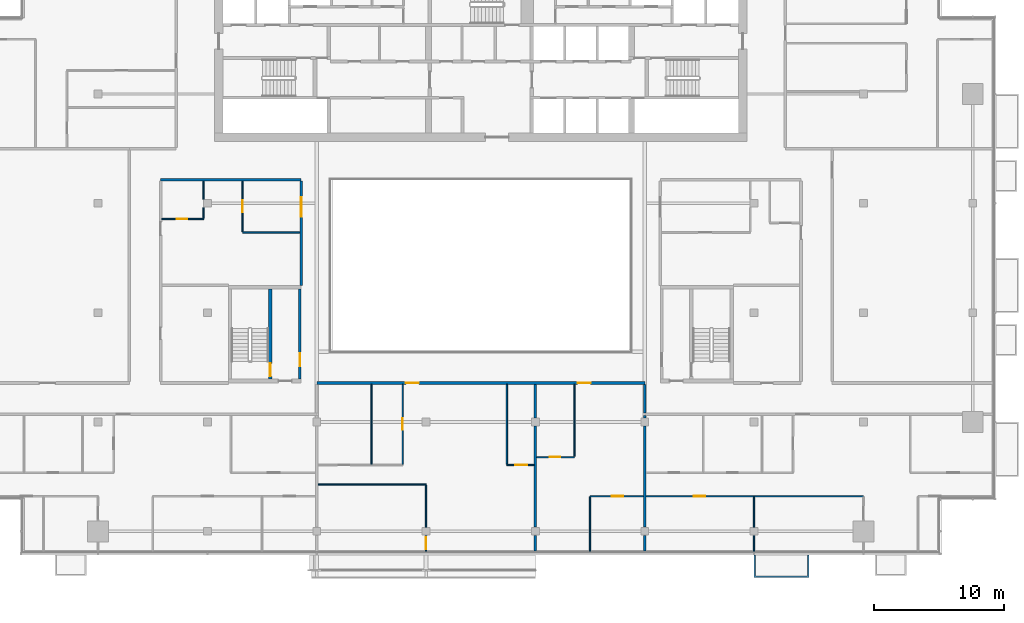
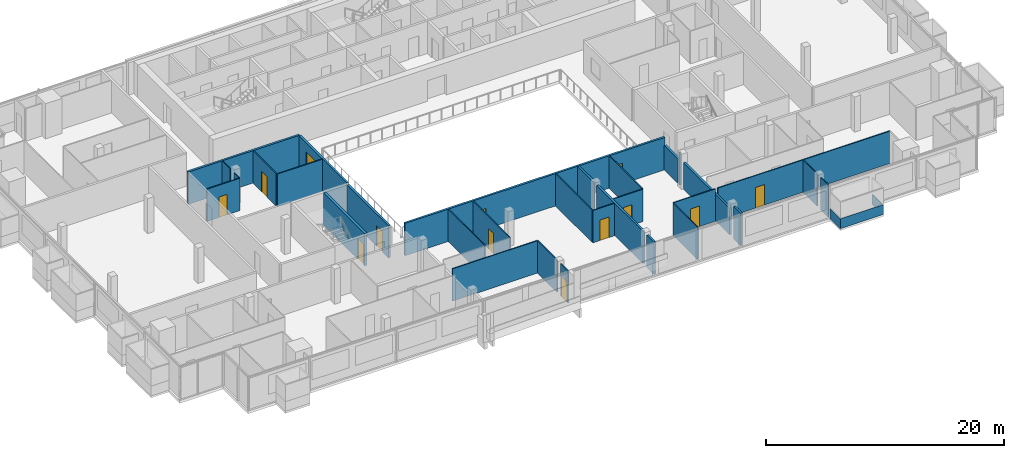
# One storey, part 19 of 27: 32 walls, 12 doors, 1 window, 13 openings.
"""IFC4 building model written with IfcOpenShell, lengths in metres."""

from ifc_helpers import new_model, si_unit, direction, frame, frame_2d, origin, place, context, subcontext, project, spatial, polyline, rectangle, outline, extrude, material, layer, layer_set, type_object, element, fill, save


model = new_model("IFC4")

# Units and contexts
model_context = context("Model", 3, precision=1e-05, world=origin(), true_north=direction((0.0, 1.0)))
body_context = subcontext(model_context, "Body", "Model", "MODEL_VIEW")
ifc_project = project(units=[si_unit("LENGTHUNIT", "METRE"), si_unit("AREAUNIT", "SQUARE_METRE"), si_unit("VOLUMEUNIT", "CUBIC_METRE"), si_unit("PLANEANGLEUNIT", "RADIAN"), si_unit("MASSUNIT", "GRAM", prefix="KILO")], contexts=[model_context])

# Site, building, storey
site_placement = place(None, origin())
site = spatial("IfcSite", under=ifc_project, at=site_placement, CompositionType="ELEMENT")
building_placement = place(site_placement, origin())
building = spatial("IfcBuilding", under=site, at=building_placement, Name="Saffron Gate Tower", CompositionType="ELEMENT")
storey_placement = place(building_placement, frame((0.0, 0.0, 209.10009765625)))
storey = spatial("IfcBuildingStorey", under=building, at=storey_placement, Name="L50", CompositionType="ELEMENT", Elevation=209.10009765625)

# Wall, opening, door
ifc_material_1 = material(Name="Gypsum board partition on steel studs", Category="steel")
ifc_layer_1 = layer(ifc_material_1, 0.199951171875)
ifc_layer_set_1 = layer_set([ifc_layer_1], Name="CW10 Core partition 200")
wall_type_1 = type_object("IfcWallType", Name="CW10 Core partition 200", PredefinedType="PARTITIONING", material=ifc_layer_set_1)
wall_1_placement = place(storey_placement, frame((73.699951171875, 43.5, 0.0), z_axis=(0.0, 0.0, 1.0), x_axis=(0.0, 1.0, 0.0)))
wall_1 = element("IfcWall", 1, at=wall_1_placement, inside=storey, type_object=wall_type_1, Name="Wall CW10-L50-D-4", PredefinedType="PARTITIONING", context=body_context, shape_type="SweptSolid", body=[
    extrude(rectangle(XDim=6.89990234375, YDim=0.199951171875, at=frame_2d((3.449951171875, 0.0))), origin(), (0.0, 0.0, 1.0), 3.31982421875),
])
opening_1_placement = place(wall_1_placement, frame((1.0, 0.0, 0.0)))
opening_1 = element("IfcOpeningElement", 2, at=opening_1_placement, cuts=wall_1, Name="Opening CR-19", PredefinedType="OPENING", context=body_context, shape_type="SweptSolid", body=[
    extrude(rectangle(XDim=1.0, YDim=2.10009765625, at=frame_2d((0.5, 1.050048828125))), frame((0.0, 0.10986328125, 0.0), z_axis=(0.0, -1.0, 0.0), x_axis=(1.0, 0.0, 0.0)), (0.0, 0.0, 1.0), 0.219970703125),
])
ifc_material_2 = material(Name="Steel fire door set", Category="steel")
door_type_1 = type_object("IfcDoorType", Name="CD4 Lobby door 1000x2100 EI 120", OperationType="NOTDEFINED", PredefinedType="DOOR", material=ifc_material_2)
door_1_placement = place(opening_1_placement, origin())
door_1 = element("IfcDoor", 3, at=door_1_placement, inside=storey, type_object=door_type_1, Name="DOOR CR-19", OperationType="SINGLE_SWING_RIGHT", OverallHeight=2.10009765625, OverallWidth=1.0, PredefinedType="DOOR", context=body_context, shape_type="SweptSolid", body=[
    extrude(rectangle(XDim=1.0, YDim=2.10009765625, at=frame_2d((0.5, 1.050048828125))), frame((0.0, 0.02490234375, 0.0), z_axis=(0.0, -1.0, 0.0), x_axis=(1.0, 0.0, 0.0)), (0.0, 0.0, 1.0), 0.050048828125),
])
fill(opening_1, door_1)

ifc_material_3 = material(Name="Concrete C60", Category="concrete")
ifc_layer_2 = layer(ifc_material_3, 0.25)
ifc_layer_set_2 = layer_set([ifc_layer_2], Name="CW14 RC core wall 250 C60")
wall_type_2 = type_object("IfcWallType", Name="CW14 RC core wall 250 C60", PredefinedType="SOLIDWALL", material=ifc_layer_set_2)
wall_2_placement = place(storey_placement, frame((71.425048828125, 43.5, 0.0), z_axis=(0.0, 0.0, 1.0), x_axis=(0.0, 1.0, 0.0)))
wall_2 = element("IfcWall", 4, at=wall_2_placement, inside=storey, type_object=wall_type_2, Name="Wall CW14-L50-D-3", PredefinedType="SOLIDWALL", context=body_context, shape_type="SweptSolid", body=[
    extrude(rectangle(XDim=6.89990234375, YDim=0.25, at=frame_2d((3.449951171875, 0.0))), origin(), (0.0, 0.0, 1.0), 3.31982421875),
])
opening_2_placement = place(wall_2_placement, frame((0.199951171875, 0.0, 0.0)))
opening_2 = element("IfcOpeningElement", 5, at=opening_2_placement, cuts=wall_2, Name="Opening CR-20", PredefinedType="OPENING", context=body_context, shape_type="SweptSolid", body=[
    extrude(rectangle(XDim=1.0, YDim=2.10009765625, at=frame_2d((0.5, 1.050048828125))), frame((0.0, 0.135009765625, 0.0), z_axis=(0.0, -1.0, 0.0), x_axis=(1.0, 0.0, 0.0)), (0.0, 0.0, 1.0), 0.27001953125),
])
door_type_2 = type_object("IfcDoorType", Name="CD5 Stair door 1000x2100 EI 120", OperationType="NOTDEFINED", PredefinedType="DOOR", material=ifc_material_2)
door_2_placement = place(opening_2_placement, origin())
door_2 = element("IfcDoor", 6, at=door_2_placement, inside=storey, type_object=door_type_2, Name="DOOR CR-20", OperationType="SINGLE_SWING_LEFT", OverallHeight=2.10009765625, OverallWidth=1.0, PredefinedType="DOOR", context=body_context, shape_type="SweptSolid", body=[
    extrude(rectangle(XDim=1.0, YDim=2.10009765625, at=frame_2d((0.5, 1.050048828125))), frame((0.0, 0.02490234375, 0.0), z_axis=(0.0, -1.0, 0.0), x_axis=(1.0, 0.0, 0.0)), (0.0, 0.0, 1.0), 0.050048828125),
])
fill(opening_2, door_2)

# Wall
ifc_material_4 = material(Name="Plasterboard on steel studs", Category="steel")
ifc_layer_3 = layer(ifc_material_4, 0.10009765625)
ifc_layer_set_3 = layer_set([ifc_layer_3], Name="PW1 Partition 100")
wall_type_3 = type_object("IfcWallType", Name="PW1 Partition 100", PredefinedType="PARTITIONING", material=ifc_layer_set_3)
wall_3_placement = place(storey_placement, frame((75.10009765625, 35.39990234375, 0.0), z_axis=(0.0, 0.0, 1.0), x_axis=(1.0, 0.0, 0.0)))
element("IfcWall", 7, at=wall_3_placement, inside=storey, type_object=wall_type_3, Name="Partition D1-4", PredefinedType="PARTITIONING", context=body_context, shape_type="SweptSolid", body=[
    extrude(rectangle(XDim=8.2998046875, YDim=0.10009765625, at=frame_2d((4.14990234375, 0.0))), origin(), (0.0, 0.0, 1.0), 3.31982421875),
])

# Wall, opening, door
wall_4_placement = place(storey_placement, frame((89.60791015625, 36.89990234375, 0.0), z_axis=(0.0, 0.0, 1.0), x_axis=(1.0, 0.0, 0.0)))
wall_4 = element("IfcWall", 8, at=wall_4_placement, inside=storey, type_object=wall_type_3, Name="Partition D1-10", PredefinedType="PARTITIONING", context=body_context, shape_type="SweptSolid", body=[
    extrude(rectangle(XDim=2.092041015625, YDim=0.10009765625, at=frame_2d((1.0458984375, 0.0))), origin(), (0.0, 0.0, 1.0), 3.31982421875),
])
opening_3_placement = place(wall_4_placement, frame((0.64599609375, 0.0, 0.0)))
opening_3 = element("IfcOpeningElement", 9, at=opening_3_placement, cuts=wall_4, Name="Opening D1-16", PredefinedType="OPENING", context=body_context, shape_type="SweptSolid", body=[
    extrude(rectangle(XDim=0.89990234375, YDim=2.10009765625, at=frame_2d((0.449951171875, 1.050048828125))), frame((0.0, 0.06005859375, 0.0), z_axis=(0.0, -1.0, 0.0), x_axis=(1.0, 0.0, 0.0)), (0.0, 0.0, 1.0), 0.1201171875),
])
ifc_material_5 = material(Name="Timber door set", Category="wood")
door_type_3 = type_object("IfcDoorType", Name="RD1 Room door 900x2100", OperationType="NOTDEFINED", PredefinedType="DOOR", material=ifc_material_5)
door_3_placement = place(opening_3_placement, origin())
door_3 = element("IfcDoor", 10, at=door_3_placement, inside=storey, type_object=door_type_3, Name="Door D1-16", OperationType="SINGLE_SWING_RIGHT", OverallHeight=2.10009765625, OverallWidth=0.89990234375, PredefinedType="DOOR", context=body_context, shape_type="SweptSolid", body=[
    extrude(rectangle(XDim=0.89990234375, YDim=2.10009765625, at=frame_2d((0.449951171875, 1.050048828125))), frame((0.0, 0.02490234375, 0.0), z_axis=(0.0, -1.0, 0.0), x_axis=(1.0, 0.0, 0.0)), (0.0, 0.0, 1.0), 0.050048828125),
])
fill(opening_3, door_3)

wall_5_placement = place(storey_placement, frame((91.89990234375, 37.5, 0.0), z_axis=(0.0, 0.0, 1.0), x_axis=(1.0, 0.0, 0.0)))
wall_5 = element("IfcWall", 11, at=wall_5_placement, inside=storey, type_object=wall_type_3, Name="Partition D1-11", PredefinedType="PARTITIONING", context=body_context, shape_type="SweptSolid", body=[
    extrude(rectangle(XDim=2.900146484375, YDim=0.10009765625, at=frame_2d((1.4501953125, 0.0))), origin(), (0.0, 0.0, 1.0), 3.31982421875),
])
opening_4_placement = place(wall_5_placement, frame((1.0, 0.0, 0.0)))
opening_4 = element("IfcOpeningElement", 12, at=opening_4_placement, cuts=wall_5, Name="Opening D1-35", PredefinedType="OPENING", context=body_context, shape_type="SweptSolid", body=[
    extrude(rectangle(XDim=0.800048828125, YDim=2.10009765625, at=frame_2d((0.39990234375, 1.050048828125))), frame((0.0, 0.06005859375, 0.0), z_axis=(0.0, -1.0, 0.0), x_axis=(1.0, 0.0, 0.0)), (0.0, 0.0, 1.0), 0.1201171875),
])
door_type_4 = type_object("IfcDoorType", Name="RD2 Bathroom door 800x2100", OperationType="NOTDEFINED", PredefinedType="DOOR", material=ifc_material_5)
door_4_placement = place(opening_4_placement, origin())
door_4 = element("IfcDoor", 13, at=door_4_placement, inside=storey, type_object=door_type_4, Name="Door D1-35", OperationType="SINGLE_SWING_LEFT", OverallHeight=2.10009765625, OverallWidth=0.800048828125, PredefinedType="DOOR", context=body_context, shape_type="SweptSolid", body=[
    extrude(rectangle(XDim=0.800048828125, YDim=2.10009765625, at=frame_2d((0.39990234375, 1.050048828125))), frame((0.0, 0.02490234375, 0.0), z_axis=(0.0, -1.0, 0.0), x_axis=(1.0, 0.0, 0.0)), (0.0, 0.0, 1.0), 0.050048828125),
])
fill(opening_4, door_4)

# Wall
wall_6_placement = place(storey_placement, frame((69.300048828125, 54.75, 0.0), z_axis=(0.0, 0.0, 1.0), x_axis=(1.0, 0.0, 0.0)))
element("IfcWall", 14, at=wall_6_placement, inside=storey, type_object=wall_type_3, Name="Partition D1-23", PredefinedType="PARTITIONING", context=body_context, shape_type="SweptSolid", body=[
    extrude(rectangle(XDim=4.39990234375, YDim=0.10009765625, at=frame_2d((2.199951171875, 0.0))), origin(), (0.0, 0.0, 1.0), 3.31982421875),
])

# Wall, opening, door
wall_7_placement = place(storey_placement, frame((63.10009765625, 55.800048828125, 0.0), z_axis=(0.0, 0.0, 1.0), x_axis=(1.0, 0.0, 0.0)))
wall_7 = element("IfcWall", 15, at=wall_7_placement, inside=storey, type_object=wall_type_3, Name="Partition D1-26", PredefinedType="PARTITIONING", context=body_context, shape_type="SweptSolid", body=[
    extrude(rectangle(XDim=3.199951171875, YDim=0.10009765625, at=frame_2d((1.60009765625, 0.0))), origin(), (0.0, 0.0, 1.0), 3.31982421875),
])
opening_5_placement = place(wall_7_placement, frame((1.14990234375, 0.0, 0.0)))
opening_5 = element("IfcOpeningElement", 16, at=opening_5_placement, cuts=wall_7, Name="Opening D1-40", PredefinedType="OPENING", context=body_context, shape_type="SweptSolid", body=[
    extrude(rectangle(XDim=0.800048828125, YDim=2.10009765625, at=frame_2d((0.39990234375, 1.050048828125))), frame((0.0, 0.06005859375, 0.0), z_axis=(0.0, -1.0, 0.0), x_axis=(1.0, 0.0, 0.0)), (0.0, 0.0, 1.0), 0.1201171875),
])
door_5_placement = place(opening_5_placement, origin())
door_5 = element("IfcDoor", 17, at=door_5_placement, inside=storey, type_object=door_type_4, Name="Door D1-40", OperationType="SINGLE_SWING_LEFT", OverallHeight=2.10009765625, OverallWidth=0.800048828125, PredefinedType="DOOR", context=body_context, shape_type="SweptSolid", body=[
    extrude(rectangle(XDim=0.800048828125, YDim=2.10009765625, at=frame_2d((0.39990234375, 1.050048828125))), frame((0.0, 0.02490234375, 0.0), z_axis=(0.0, -1.0, 0.0), x_axis=(1.0, 0.0, 0.0)), (0.0, 0.0, 1.0), 0.050048828125),
])
fill(opening_5, door_5)

# Walls
wall_8_placement = place(storey_placement, frame((66.300048828125, 56.679931640625, 0.0), z_axis=(0.0, 0.0, 1.0), x_axis=(0.0, -1.0, 0.0)))
element("IfcWall", 18, at=wall_8_placement, inside=storey, type_object=wall_type_3, Name="Partition D1-58", PredefinedType="PARTITIONING", context=body_context, shape_type="SweptSolid", body=[
    extrude(rectangle(XDim=0.829833984375, YDim=0.10009765625, at=frame_2d((0.4150390625, 0.0))), origin(), (0.0, 0.0, 1.0), 3.31982421875),
])
wall_9_placement = place(storey_placement, frame((66.300048828125, 58.699951171875, 0.0), z_axis=(0.0, 0.0, 1.0), x_axis=(0.0, -1.0, 0.0)))
element("IfcWall", 19, at=wall_9_placement, inside=storey, type_object=wall_type_3, Name="Partition D1-59", PredefinedType="PARTITIONING", context=body_context, shape_type="SweptSolid", body=[
    extrude(rectangle(XDim=1.3798828125, YDim=0.10009765625, at=frame_2d((0.68994140625, 0.0))), origin(), (0.0, 0.0, 1.0), 3.31982421875),
])

# Wall, opening, door
wall_10_placement = place(storey_placement, frame((69.300048828125, 58.699951171875, 0.0), z_axis=(0.0, 0.0, 1.0), x_axis=(0.0, -1.0, 0.0)))
wall_10 = element("IfcWall", 20, at=wall_10_placement, inside=storey, type_object=wall_type_3, Name="Partition D1-61", PredefinedType="PARTITIONING", context=body_context, shape_type="SweptSolid", body=[
    extrude(rectangle(XDim=3.89990234375, YDim=0.10009765625, at=frame_2d((1.949951171875, 0.0))), origin(), (0.0, 0.0, 1.0), 3.31982421875),
])
opening_6_placement = place(wall_10_placement, frame((1.47509765625, 0.0, 0.0)))
opening_6 = element("IfcOpeningElement", 21, at=opening_6_placement, cuts=wall_10, Name="Opening D1-30", PredefinedType="OPENING", context=body_context, shape_type="SweptSolid", body=[
    extrude(rectangle(XDim=0.89990234375, YDim=2.10009765625, at=frame_2d((0.449951171875, 1.050048828125))), frame((0.0, 0.06005859375, 0.0), z_axis=(0.0, -1.0, 0.0), x_axis=(1.0, 0.0, 0.0)), (0.0, 0.0, 1.0), 0.1201171875),
])
door_6_placement = place(opening_6_placement, origin())
door_6 = element("IfcDoor", 22, at=door_6_placement, inside=storey, type_object=door_type_3, Name="Door D1-30", OperationType="SINGLE_SWING_LEFT", OverallHeight=2.10009765625, OverallWidth=0.89990234375, PredefinedType="DOOR", context=body_context, shape_type="SweptSolid", body=[
    extrude(rectangle(XDim=0.89990234375, YDim=2.10009765625, at=frame_2d((0.449951171875, 1.050048828125))), frame((0.0, 0.02490234375, 0.0), z_axis=(0.0, -1.0, 0.0), x_axis=(1.0, 0.0, 0.0)), (0.0, 0.0, 1.0), 0.050048828125),
])
fill(opening_6, door_6)

# Wall
wall_11_placement = place(storey_placement, frame((79.206298828125, 43.10009765625, 0.0), z_axis=(0.0, 0.0, 1.0), x_axis=(0.0, -1.0, 0.0)))
element("IfcWall", 23, at=wall_11_placement, inside=storey, type_object=wall_type_3, Name="Partition D1-68", PredefinedType="PARTITIONING", context=body_context, shape_type="SweptSolid", body=[
    extrude(rectangle(XDim=6.150146484375, YDim=0.10009765625, at=frame_2d((3.0751953125, 0.0))), origin(), (0.0, 0.0, 1.0), 3.31982421875),
])

# Wall, opening, door
wall_12_placement = place(storey_placement, frame((81.60009765625, 36.949951171875, 0.0), z_axis=(0.0, 0.0, 1.0), x_axis=(0.0, 1.0, 0.0)))
wall_12 = element("IfcWall", 24, at=wall_12_placement, inside=storey, type_object=wall_type_3, Name="Partition D1-69", PredefinedType="PARTITIONING", context=body_context, shape_type="SweptSolid", body=[
    extrude(rectangle(XDim=6.150146484375, YDim=0.10009765625, at=frame_2d((3.0751953125, 0.0))), origin(), (0.0, 0.0, 1.0), 3.31982421875),
])
opening_7_placement = place(wall_12_placement, frame((2.64990234375, 0.0, 0.0)))
opening_7 = element("IfcOpeningElement", 25, at=opening_7_placement, cuts=wall_12, Name="Opening D1-17", PredefinedType="OPENING", context=body_context, shape_type="SweptSolid", body=[
    extrude(rectangle(XDim=0.89990234375, YDim=2.10009765625, at=frame_2d((0.449951171875, 1.050048828125))), frame((0.0, 0.06005859375, 0.0), z_axis=(0.0, -1.0, 0.0), x_axis=(1.0, 0.0, 0.0)), (0.0, 0.0, 1.0), 0.1201171875),
])
door_7_placement = place(opening_7_placement, origin())
door_7 = element("IfcDoor", 26, at=door_7_placement, inside=storey, type_object=door_type_3, Name="Door D1-17", OperationType="SINGLE_SWING_RIGHT", OverallHeight=2.10009765625, OverallWidth=0.89990234375, PredefinedType="DOOR", context=body_context, shape_type="SweptSolid", body=[
    extrude(rectangle(XDim=0.89990234375, YDim=2.10009765625, at=frame_2d((0.449951171875, 1.050048828125))), frame((0.0, 0.02490234375, 0.0), z_axis=(0.0, -1.0, 0.0), x_axis=(1.0, 0.0, 0.0)), (0.0, 0.0, 1.0), 0.050048828125),
])
fill(opening_7, door_7)

wall_13_placement = place(storey_placement, frame((83.39990234375, 30.280029296875, 0.0), z_axis=(0.0, 0.0, 1.0), x_axis=(0.0, 1.0, 0.0)))
wall_13 = element("IfcWall", 27, at=wall_13_placement, inside=storey, type_object=wall_type_3, Name="Partition D1-70", PredefinedType="PARTITIONING", context=body_context, shape_type="SweptSolid", body=[
    extrude(rectangle(XDim=1.199951171875, YDim=0.10009765625, at=frame_2d((0.60009765625, 0.0))), origin(), (0.0, 0.0, 1.0), 3.31982421875),
])
opening_8_placement = place(wall_13_placement, frame((0.14990234375, 0.0, 0.0)))
opening_8 = element("IfcOpeningElement", 28, at=opening_8_placement, cuts=wall_13, Name="Opening D1-15", PredefinedType="OPENING", context=body_context, shape_type="SweptSolid", body=[
    extrude(rectangle(XDim=0.89990234375, YDim=2.10009765625, at=frame_2d((0.449951171875, 1.050048828125))), frame((0.0, 0.06005859375, 0.0), z_axis=(0.0, -1.0, 0.0), x_axis=(1.0, 0.0, 0.0)), (0.0, 0.0, 1.0), 0.1201171875),
])
door_8_placement = place(opening_8_placement, origin())
door_8 = element("IfcDoor", 29, at=door_8_placement, inside=storey, type_object=door_type_3, Name="Door D1-15", OperationType="SINGLE_SWING_LEFT", OverallHeight=2.10009765625, OverallWidth=0.89990234375, PredefinedType="DOOR", context=body_context, shape_type="SweptSolid", body=[
    extrude(rectangle(XDim=0.89990234375, YDim=2.10009765625, at=frame_2d((0.449951171875, 1.050048828125))), frame((0.0, 0.02490234375, 0.0), z_axis=(0.0, -1.0, 0.0), x_axis=(1.0, 0.0, 0.0)), (0.0, 0.0, 1.0), 0.050048828125),
])
fill(opening_8, door_8)

# Walls
wall_14_placement = place(storey_placement, frame((83.39990234375, 35.35009765625, 0.0), z_axis=(0.0, 0.0, 1.0), x_axis=(0.0, -1.0, 0.0)))
element("IfcWall", 30, at=wall_14_placement, inside=storey, type_object=wall_type_3, Name="Partition D1-71", PredefinedType="PARTITIONING", context=body_context, shape_type="SweptSolid", body=[
    extrude(rectangle(XDim=3.22998046875, YDim=0.10009765625, at=frame_2d((1.614990234375, 0.0))), origin(), (0.0, 0.0, 1.0), 3.31982421875),
])
wall_15_placement = place(storey_placement, frame((89.60791015625, 43.10009765625, 0.0), z_axis=(0.0, 0.0, 1.0), x_axis=(0.0, -1.0, 0.0)))
element("IfcWall", 31, at=wall_15_placement, inside=storey, type_object=wall_type_3, Name="Partition D1-72", PredefinedType="PARTITIONING", context=body_context, shape_type="SweptSolid", body=[
    extrude(rectangle(XDim=6.150146484375, YDim=0.10009765625, at=frame_2d((3.0751953125, 0.0))), origin(), (0.0, 0.0, 1.0), 3.31982421875),
])
wall_16_placement = place(storey_placement, frame((94.800048828125, 43.10009765625, 0.0), z_axis=(0.0, 0.0, 1.0), x_axis=(0.0, -1.0, 0.0)))
element("IfcWall", 32, at=wall_16_placement, inside=storey, type_object=wall_type_3, Name="Partition D1-76", PredefinedType="PARTITIONING", context=body_context, shape_type="SweptSolid", body=[
    extrude(rectangle(XDim=5.550048828125, YDim=0.10009765625, at=frame_2d((2.77490234375, 0.0))), origin(), (0.0, 0.0, 1.0), 3.31982421875),
])
wall_17_placement = place(storey_placement, frame((96.0, 34.449951171875, 0.0), z_axis=(0.0, 0.0, 1.0), x_axis=(0.0, -1.0, 0.0)))
element("IfcWall", 33, at=wall_17_placement, inside=storey, type_object=wall_type_3, Name="Partition D1-77", PredefinedType="PARTITIONING", context=body_context, shape_type="SweptSolid", body=[
    extrude(rectangle(XDim=4.169921875, YDim=0.10009765625, at=frame_2d((2.0849609375, 0.0))), origin(), (0.0, 0.0, 1.0), 3.31982421875),
])
wall_18_placement = place(storey_placement, frame((108.60009765625, 31.47998046875, 0.0), z_axis=(0.0, 0.0, 1.0), x_axis=(0.0, -1.0, 0.0)))
element("IfcWall", 34, at=wall_18_placement, inside=storey, type_object=wall_type_3, Name="Partition D1-86", PredefinedType="PARTITIONING", context=body_context, shape_type="SweptSolid", body=[
    extrude(rectangle(XDim=1.199951171875, YDim=0.10009765625, at=frame_2d((0.60009765625, 0.0))), origin(), (0.0, 0.0, 1.0), 3.31982421875),
])
wall_19_placement = place(storey_placement, frame((108.60009765625, 34.449951171875, 0.0), z_axis=(0.0, 0.0, 1.0), x_axis=(0.0, -1.0, 0.0)))
element("IfcWall", 35, at=wall_19_placement, inside=storey, type_object=wall_type_3, Name="Partition D1-87", PredefinedType="PARTITIONING", context=body_context, shape_type="SweptSolid", body=[
    extrude(rectangle(XDim=2.329833984375, YDim=0.10009765625, at=frame_2d((1.1650390625, 0.0))), origin(), (0.0, 0.0, 1.0), 3.31982421875),
])

# Wall, opening, door
wall_20_placement = place(storey_placement, frame((100.10009765625, 34.5, 0.0), z_axis=(0.0, 0.0, 1.0), x_axis=(-1.0, 0.0, 0.0)))
wall_20 = element("IfcWall", 36, at=wall_20_placement, inside=storey, type_object=wall_type_3, Name="Partition D1-101", PredefinedType="PARTITIONING", context=body_context, shape_type="SweptSolid", body=[
    extrude(rectangle(XDim=4.10009765625, YDim=0.10009765625, at=frame_2d((2.050048828125, 0.0))), origin(), (0.0, 0.0, 1.0), 3.31982421875),
])
opening_9_placement = place(wall_20_placement, frame((1.550048828125, 0.0, 0.0)))
opening_9 = element("IfcOpeningElement", 37, at=opening_9_placement, cuts=wall_20, Name="Opening D1-18", PredefinedType="OPENING", context=body_context, shape_type="SweptSolid", body=[
    extrude(rectangle(XDim=0.89990234375, YDim=2.10009765625, at=frame_2d((0.449951171875, 1.050048828125))), frame((0.0, 0.06005859375, 0.0), z_axis=(0.0, -1.0, 0.0), x_axis=(1.0, 0.0, 0.0)), (0.0, 0.0, 1.0), 0.1201171875),
])
door_9_placement = place(opening_9_placement, origin())
door_9 = element("IfcDoor", 38, at=door_9_placement, inside=storey, type_object=door_type_3, Name="Door D1-18", OperationType="SINGLE_SWING_LEFT", OverallHeight=2.10009765625, OverallWidth=0.89990234375, PredefinedType="DOOR", context=body_context, shape_type="SweptSolid", body=[
    extrude(rectangle(XDim=0.89990234375, YDim=2.10009765625, at=frame_2d((0.449951171875, 1.050048828125))), frame((0.0, 0.02490234375, 0.0), z_axis=(0.0, -1.0, 0.0), x_axis=(1.0, 0.0, 0.0)), (0.0, 0.0, 1.0), 0.050048828125),
])
fill(opening_9, door_9)

wall_21_placement = place(storey_placement, frame((117.0, 34.5, 0.0), z_axis=(0.0, 0.0, 1.0), x_axis=(-1.0, 0.0, 0.0)))
wall_21 = element("IfcWall", 39, at=wall_21_placement, inside=storey, type_object=wall_type_3, Name="Partition D1-102", PredefinedType="PARTITIONING", context=body_context, shape_type="SweptSolid", body=[
    extrude(rectangle(XDim=16.699951171875, YDim=0.10009765625, at=frame_2d((8.35009765625, 0.0))), origin(), (0.0, 0.0, 1.0), 3.31982421875),
])
opening_10_placement = place(wall_21_placement, frame((12.14990234375, 0.0, 0.0)))
opening_10 = element("IfcOpeningElement", 40, at=opening_10_placement, cuts=wall_21, Name="Opening D1-19", PredefinedType="OPENING", context=body_context, shape_type="SweptSolid", body=[
    extrude(rectangle(XDim=0.89990234375, YDim=2.10009765625, at=frame_2d((0.449951171875, 1.050048828125))), frame((0.0, 0.06005859375, 0.0), z_axis=(0.0, -1.0, 0.0), x_axis=(1.0, 0.0, 0.0)), (0.0, 0.0, 1.0), 0.1201171875),
])
door_10_placement = place(opening_10_placement, origin())
door_10 = element("IfcDoor", 41, at=door_10_placement, inside=storey, type_object=door_type_3, Name="Door D1-19", OperationType="SINGLE_SWING_RIGHT", OverallHeight=2.10009765625, OverallWidth=0.89990234375, PredefinedType="DOOR", context=body_context, shape_type="SweptSolid", body=[
    extrude(rectangle(XDim=0.89990234375, YDim=2.10009765625, at=frame_2d((0.449951171875, 1.050048828125))), frame((0.0, 0.02490234375, 0.0), z_axis=(0.0, -1.0, 0.0), x_axis=(1.0, 0.0, 0.0)), (0.0, 0.0, 1.0), 0.050048828125),
])
fill(opening_10, door_10)

# Walls
ifc_material_6 = material(Name="Clay brick masonry, rendered", Category="masonry")
ifc_layer_4 = layer(ifc_material_6, 0.199951171875)
ifc_layer_set_4 = layer_set([ifc_layer_4], Name="PW2 Demising wall 200")
wall_type_4 = type_object("IfcWallType", Name="PW2 Demising wall 200", PredefinedType="PARTITIONING", material=ifc_layer_set_4)
wall_22_placement = place(storey_placement, frame((91.800048828125, 31.47998046875, 0.0), z_axis=(0.0, 0.0, 1.0), x_axis=(0.0, -1.0, 0.0)))
element("IfcWall", 42, at=wall_22_placement, inside=storey, type_object=wall_type_4, Name="Wall D1-73", PredefinedType="PARTITIONING", context=body_context, shape_type="SweptSolid", body=[
    extrude(rectangle(XDim=1.199951171875, YDim=0.199951171875, at=frame_2d((0.60009765625, 0.0))), origin(), (0.0, 0.0, 1.0), 3.31982421875),
])
wall_23_placement = place(storey_placement, frame((91.800048828125, 39.8798828125, 0.0), z_axis=(0.0, 0.0, 1.0), x_axis=(0.0, -1.0, 0.0)))
element("IfcWall", 43, at=wall_23_placement, inside=storey, type_object=wall_type_4, Name="Wall D1-74", PredefinedType="PARTITIONING", context=body_context, shape_type="SweptSolid", body=[
    extrude(rectangle(XDim=7.759765625, YDim=0.199951171875, at=frame_2d((3.8798828125, 0.0))), origin(), (0.0, 0.0, 1.0), 3.31982421875),
])
wall_24_placement = place(storey_placement, frame((91.800048828125, 43.10009765625, 0.0), z_axis=(0.0, 0.0, 1.0), x_axis=(0.0, -1.0, 0.0)))
element("IfcWall", 44, at=wall_24_placement, inside=storey, type_object=wall_type_4, Name="Wall D1-75", PredefinedType="PARTITIONING", context=body_context, shape_type="SweptSolid", body=[
    extrude(rectangle(XDim=2.580078125, YDim=0.199951171875, at=frame_2d((1.2900390625, 0.0))), origin(), (0.0, 0.0, 1.0), 3.31982421875),
])
wall_25_placement = place(storey_placement, frame((100.199951171875, 31.47998046875, 0.0), z_axis=(0.0, 0.0, 1.0), x_axis=(0.0, -1.0, 0.0)))
element("IfcWall", 45, at=wall_25_placement, inside=storey, type_object=wall_type_4, Name="Wall D1-79", PredefinedType="PARTITIONING", context=body_context, shape_type="SweptSolid", body=[
    extrude(rectangle(XDim=1.199951171875, YDim=0.199951171875, at=frame_2d((0.60009765625, 0.0))), origin(), (0.0, 0.0, 1.0), 3.31982421875),
])
wall_26_placement = place(storey_placement, frame((100.199951171875, 39.8798828125, 0.0), z_axis=(0.0, 0.0, 1.0), x_axis=(0.0, -1.0, 0.0)))
element("IfcWall", 46, at=wall_26_placement, inside=storey, type_object=wall_type_4, Name="Wall D1-80", PredefinedType="PARTITIONING", context=body_context, shape_type="SweptSolid", body=[
    extrude(rectangle(XDim=7.759765625, YDim=0.199951171875, at=frame_2d((3.8798828125, 0.0))), origin(), (0.0, 0.0, 1.0), 2.719970703125),
])
wall_27_placement = place(storey_placement, frame((100.199951171875, 40.699951171875, 0.0), z_axis=(0.0, 0.0, 1.0), x_axis=(0.0, -1.0, 0.0)))
element("IfcWall", 47, at=wall_27_placement, inside=storey, type_object=wall_type_4, Name="Wall D1-81", PredefinedType="PARTITIONING", context=body_context, shape_type="SweptSolid", body=[
    extrude(rectangle(XDim=0.179931640625, YDim=0.199951171875, at=frame_2d((0.08984375, 0.0))), origin(), (0.0, 0.0, 1.0), 3.31982421875),
])

# Wall, openings, doors
ifc_layer_5 = layer(ifc_material_6, 0.199951171875)
ifc_layer_set_5 = layer_set([ifc_layer_5], Name="PW3 Corridor wall 200")
wall_type_5 = type_object("IfcWallType", Name="PW3 Corridor wall 200", PredefinedType="PARTITIONING", material=ifc_layer_set_5)
wall_28_placement = place(storey_placement, frame((100.199951171875, 43.199951171875, 0.0), z_axis=(0.0, 0.0, 1.0), x_axis=(-1.0, 0.0, 0.0)))
wall_28 = element("IfcWall", 48, at=wall_28_placement, inside=storey, type_object=wall_type_5, Name="Wall D1-18", PredefinedType="PARTITIONING", context=body_context, shape_type="SweptSolid", body=[
    extrude(rectangle(XDim=25.199951171875, YDim=0.199951171875, at=frame_2d((12.60009765625, 0.0))), origin(), (0.0, 0.0, 1.0), 3.31982421875),
])
opening_11_placement = place(wall_28_placement, frame((4.14990234375, 0.0, 0.0)))
opening_11 = element("IfcOpeningElement", 49, at=opening_11_placement, cuts=wall_28, Name="Opening D1-3", PredefinedType="OPENING", context=body_context, shape_type="SweptSolid", body=[
    extrude(rectangle(XDim=1.0, YDim=2.10009765625, at=frame_2d((0.5, 1.050048828125))), frame((0.0, 0.10986328125, 0.0), z_axis=(0.0, -1.0, 0.0), x_axis=(1.0, 0.0, 0.0)), (0.0, 0.0, 1.0), 0.219970703125),
])
opening_12_placement = place(wall_28_placement, frame((17.35009765625, 0.0, 0.0)))
opening_12 = element("IfcOpeningElement", 50, at=opening_12_placement, cuts=wall_28, Name="Opening D1-2", PredefinedType="OPENING", context=body_context, shape_type="SweptSolid", body=[
    extrude(rectangle(XDim=1.0, YDim=2.10009765625, at=frame_2d((0.5, 1.050048828125))), frame((0.0, 0.10986328125, 0.0), z_axis=(0.0, -1.0, 0.0), x_axis=(1.0, 0.0, 0.0)), (0.0, 0.0, 1.0), 0.219970703125),
])
ifc_material_7 = material(Name="Timber fire door set", Category="wood")
door_type_5 = type_object("IfcDoorType", Name="FD1 Flat entry door 1000x2100", OperationType="NOTDEFINED", PredefinedType="DOOR", material=ifc_material_7)
door_11_placement = place(opening_11_placement, origin())
door_11 = element("IfcDoor", 51, at=door_11_placement, inside=storey, type_object=door_type_5, Name="Door D1-3", OperationType="SINGLE_SWING_RIGHT", OverallHeight=2.10009765625, OverallWidth=1.0, PredefinedType="DOOR", context=body_context, shape_type="SweptSolid", body=[
    extrude(rectangle(XDim=1.0, YDim=2.10009765625, at=frame_2d((0.5, 1.050048828125))), frame((0.0, 0.02490234375, 0.0), z_axis=(0.0, -1.0, 0.0), x_axis=(1.0, 0.0, 0.0)), (0.0, 0.0, 1.0), 0.050048828125),
])
fill(opening_11, door_11)
door_12_placement = place(opening_12_placement, origin())
door_12 = element("IfcDoor", 52, at=door_12_placement, inside=storey, type_object=door_type_5, Name="Door D1-2", OperationType="SINGLE_SWING_RIGHT", OverallHeight=2.10009765625, OverallWidth=1.0, PredefinedType="DOOR", context=body_context, shape_type="SweptSolid", body=[
    extrude(rectangle(XDim=1.0, YDim=2.10009765625, at=frame_2d((0.5, 1.050048828125))), frame((0.0, 0.02490234375, 0.0), z_axis=(0.0, -1.0, 0.0), x_axis=(1.0, 0.0, 0.0)), (0.0, 0.0, 1.0), 0.050048828125),
])
fill(opening_12, door_12)

# Wall
wall_29_placement = place(storey_placement, frame((63.0, 58.800048828125, 0.0), z_axis=(0.0, 0.0, 1.0), x_axis=(1.0, 0.0, 0.0)))
element("IfcWall", 53, at=wall_29_placement, inside=storey, type_object=wall_type_5, Name="Wall D1-27", PredefinedType="PARTITIONING", context=body_context, shape_type="SweptSolid", body=[
    extrude(rectangle(XDim=10.800048828125, YDim=0.199951171875, at=frame_2d((5.39990234375, 0.0))), origin(), (0.0, 0.0, 1.0), 3.31982421875),
])

# Wall, opening, window
wall_30_placement = place(storey_placement, frame((73.800048828125, 58.699951171875, 0.0), z_axis=(0.0, 0.0, 1.0), x_axis=(0.0, -1.0, 0.0)))
wall_30 = element("IfcWall", 54, at=wall_30_placement, inside=storey, type_object=wall_type_5, Name="Wall D1-63", PredefinedType="PARTITIONING", context=body_context, shape_type="SweptSolid", body=[
    extrude(rectangle(XDim=8.0, YDim=0.199951171875, at=frame_2d((4.0, 0.0))), origin(), (0.0, 0.0, 1.0), 3.31982421875),
])
opening_13_placement = place(wall_30_placement, frame((1.22509765625, 0.0, 0.89990234375)))
opening_13 = element("IfcOpeningElement", 55, at=opening_13_placement, cuts=wall_30, Name="Opening GW1", PredefinedType="OPENING", context=body_context, shape_type="SweptSolid", body=[
    extrude(rectangle(XDim=1.5, YDim=1.5, at=frame_2d((0.75, 0.75))), frame((0.0, 0.10986328125, 0.0), z_axis=(0.0, -1.0, 0.0), x_axis=(1.0, 0.0, 0.0)), (0.0, 0.0, 1.0), 0.219970703125),
])
ifc_material_8 = material(Name="Fire-resisting laminated glass in steel frame", Category="steel")
ifc_layer_6 = layer(ifc_material_8, 0.06005859375)
ifc_layer_set_6 = layer_set([ifc_layer_6], Name="GW1 Gallery window 1500x1500")
window_type = type_object("IfcWindowType", Name="GW1 Gallery window 1500x1500", PartitioningType="SINGLE_PANEL", PredefinedType="WINDOW", material=ifc_layer_set_6)
window_placement = place(opening_13_placement, origin())
window = element("IfcWindow", 56, at=window_placement, inside=storey, type_object=window_type, Name="GW1 window D1-J-B1", OverallHeight=1.5, OverallWidth=1.5, PartitioningType="SINGLE_PANEL", PredefinedType="WINDOW", context=body_context, shape_type="SweptSolid", body=[
    extrude(rectangle(XDim=1.5, YDim=1.5, at=frame_2d((0.75, 0.75))), frame((0.0, 0.030029296875, 0.0), z_axis=(0.0, -1.0, 0.0), x_axis=(1.0, 0.0, 0.0)), (0.0, 0.0, 1.0), 0.06005859375),
])
fill(opening_13, window)

# Walls
wall_31_placement = place(storey_placement, frame((100.199951171875, 43.10009765625, 0.0), z_axis=(0.0, 0.0, 1.0), x_axis=(0.0, -1.0, 0.0)))
element("IfcWall", 57, at=wall_31_placement, inside=storey, type_object=wall_type_5, Name="Wall D1-78", PredefinedType="PARTITIONING", context=body_context, shape_type="SweptSolid", body=[
    extrude(rectangle(XDim=2.2001953125, YDim=0.199951171875, at=frame_2d((1.10009765625, 0.0))), origin(), (0.0, 0.0, 1.0), 2.52978515625),
])
ifc_material_9 = material(Name="Rendered insulated panel, white")
ifc_layer_7 = layer(ifc_material_9, 0.10009765625)
ifc_layer_set_7 = layer_set([ifc_layer_7], Name="WB3 box parapet white")
wall_type_6 = type_object("IfcWallType", Name="WB3 box parapet white", PredefinedType="SOLIDWALL", material=ifc_layer_set_7)
wall_32_placement = place(storey_placement, origin())
element("IfcWall", 58, at=wall_32_placement, inside=storey, type_object=wall_type_6, Name="WINDOW BOX parapet", PredefinedType="SOLIDWALL", context=body_context, shape_type="SweptSolid", body=[
    extrude(outline(polyline([(108.60009765625, 30.0), (108.699951171875, 30.0), (108.699951171875, 28.366943359375), (112.699951171875, 28.366943359375), (112.699951171875, 30.0), (112.800048828125, 30.0), (112.800048828125, 28.26708984375), (108.60009765625, 28.26708984375), (108.60009765625, 30.0)])), origin(), (0.0, 0.0, 1.0), 1.0),
])

save(model, "model.ifc")
